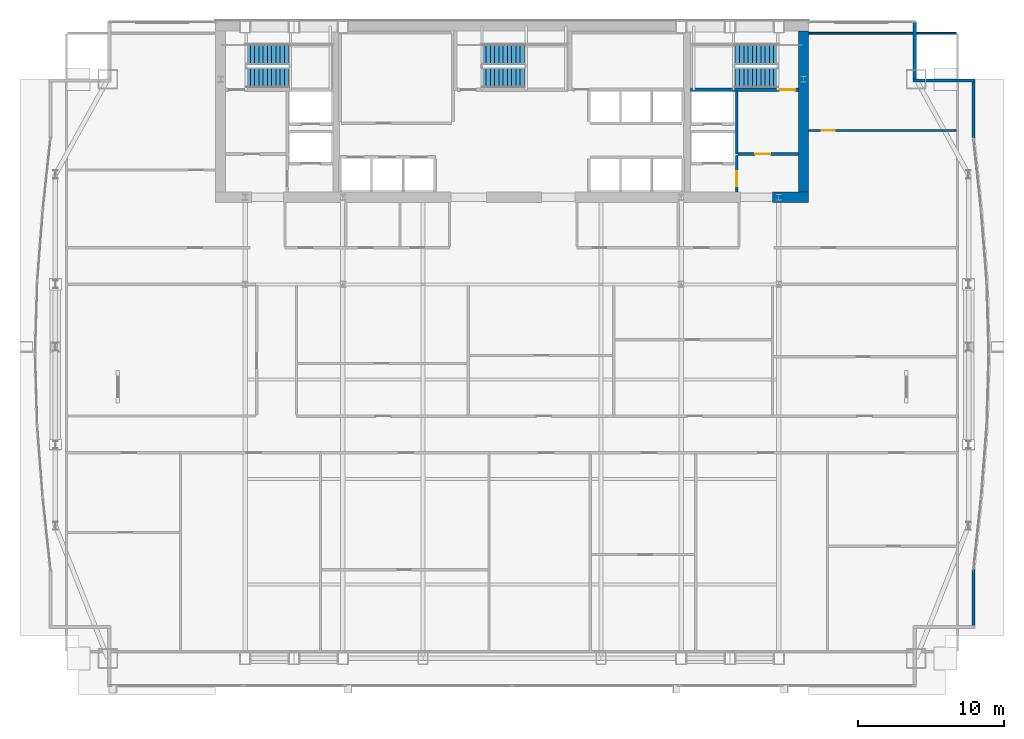
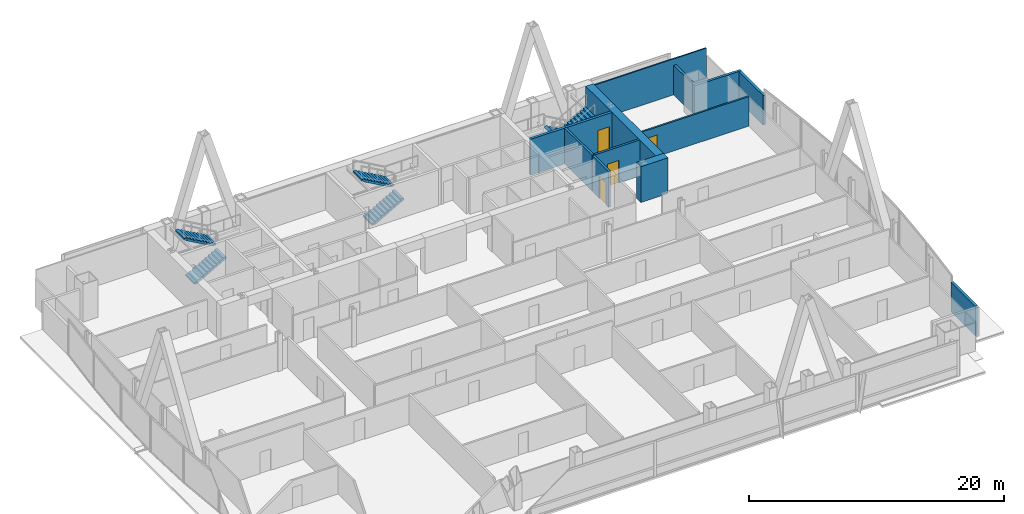
# One storey, part 28 of 30: 12 walls, 6 stair flights, 4 doors, 4 openings, 3 elements without a shape of their own.
"""IFC4 building model written with IfcOpenShell, lengths in metres."""

from ifc_helpers import new_model, si_unit, direction, frame, frame_2d, origin, place, context, subcontext, project, spatial, polyline, rectangle, outline, extrude, material, layer, layer_set, type_object, element, fill, aggregate, save


model = new_model("IFC4")

# Units and contexts
model_context = context("Model", 3, precision=1e-05, world=origin(), true_north=direction((0.0, 1.0)))
body_context = subcontext(model_context, "Body", "Model", "MODEL_VIEW")
ifc_project = project(units=[si_unit("LENGTHUNIT", "METRE"), si_unit("AREAUNIT", "SQUARE_METRE"), si_unit("VOLUMEUNIT", "CUBIC_METRE"), si_unit("PLANEANGLEUNIT", "RADIAN"), si_unit("MASSUNIT", "GRAM", prefix="KILO")], contexts=[model_context])

# Site, building, storey
site_placement = place(None, origin())
site = spatial("IfcSite", under=ifc_project, at=site_placement, CompositionType="ELEMENT")
building_placement = place(site_placement, origin())
building = spatial("IfcBuilding", under=site, at=building_placement, Name="Khoronbel Lancet Exchange", CompositionType="ELEMENT")
storey_placement = place(building_placement, frame((0.0, 0.0, 136.199951171875)))
storey = spatial("IfcBuildingStorey", under=building, at=storey_placement, Name="L33", CompositionType="ELEMENT", Elevation=136.199951171875)

# Walls
ifc_material_1 = material(Name="Concrete C80/95", Category="concrete")
ifc_layer_1 = layer(ifc_material_1, 0.699951171875, Name="Concrete C80/95")
ifc_layer_set_1 = layer_set([ifc_layer_1], Name="Concrete C80/95")
wall_type_1 = type_object("IfcWallType", Name="WL-CW2", PredefinedType="SHEAR", material=ifc_layer_set_1)
wall_1_placement = place(storey_placement, frame((56.35009765625, 53.0, 0.0), z_axis=(0.0, 0.0, 1.0), x_axis=(0.0, -1.0, 0.0)))
element("IfcWall", 1, at=wall_1_placement, inside=storey, type_object=wall_type_1, Name="Level L33 rear core east shear wall", PredefinedType="SHEAR", context=body_context, shape_type="SweptSolid", body=[
    extrude(rectangle(XDim=11.0, YDim=0.699951171875, at=frame_2d((5.5, 0.0))), origin(), (0.0, 0.0, 1.0), 3.43994140625),
])
wall_2_placement = place(storey_placement, frame((56.699951171875, 41.64990234375, 0.0), z_axis=(0.0, 0.0, 1.0), x_axis=(-1.0, 0.0, 0.0)))
element("IfcWall", 2, at=wall_2_placement, inside=storey, type_object=wall_type_1, Name="Level L33 rear core south shear wall pier P5", PredefinedType="SHEAR", context=body_context, shape_type="SweptSolid", body=[
    extrude(rectangle(XDim=2.449951171875, YDim=0.699951171875, at=frame_2d((1.22509765625, 0.0))), origin(), (0.0, 0.0, 1.0), 3.43994140625),
])
ifc_material_2 = material(Name="Precast concrete C40/50", Category="concrete")
ifc_layer_2 = layer(ifc_material_2, 0.25, Name="Precast concrete C40/50")
ifc_layer_set_2 = layer_set([ifc_layer_2], Name="Precast concrete C40/50")
wall_type_2 = type_object("IfcWallType", Name="WL-EXT250", PredefinedType="SOLIDWALL", material=ifc_layer_set_2)
wall_3_placement = place(storey_placement, frame((63.9599609375, 53.6298828125, 0.0), z_axis=(0.0, 0.0, 1.0), x_axis=(0.0, -1.0, 0.0)))
element("IfcWall", 3, at=wall_3_placement, inside=storey, type_object=wall_type_2, Name="Level L33 notched-corner limestone pier 14", PredefinedType="SOLIDWALL", context=body_context, shape_type="SweptSolid", body=[
    extrude(rectangle(XDim=3.909912109375, YDim=0.219970703125, at=frame_2d((1.955078125, 0.0))), origin(), (0.0, 0.0, 1.0), 2.830078125),
])
wall_4_placement = place(storey_placement, frame((63.85009765625, 49.610107421875, 0.0), z_axis=(0.0, 0.0, 1.0), x_axis=(1.0, 0.0, 0.0)))
element("IfcWall", 4, at=wall_4_placement, inside=storey, type_object=wall_type_2, Name="Level L33 notched-corner limestone pier 15", PredefinedType="SOLIDWALL", context=body_context, shape_type="SweptSolid", body=[
    extrude(rectangle(XDim=4.219970703125, YDim=0.219970703125, at=frame_2d((2.10986328125, 0.0))), origin(), (0.0, 0.0, 1.0), 2.830078125),
])
wall_5_placement = place(storey_placement, frame((67.9599609375, 49.5, 0.0), z_axis=(0.0, 0.0, 1.0), x_axis=(0.0, -1.0, 0.0)))
element("IfcWall", 5, at=wall_5_placement, inside=storey, type_object=wall_type_2, Name="Level L33 notched-corner limestone pier 16", PredefinedType="SOLIDWALL", context=body_context, shape_type="SweptSolid", body=[
    extrude(rectangle(XDim=3.82470703125, YDim=0.219970703125, at=frame_2d((1.912353515625, 0.0))), origin(), (0.0, 0.0, 1.0), 2.830078125),
])
wall_6_placement = place(storey_placement, frame((67.9599609375, 16.224853515625, 0.0), z_axis=(0.0, 0.0, 1.0), x_axis=(0.0, -1.0, 0.0)))
element("IfcWall", 6, at=wall_6_placement, inside=storey, type_object=wall_type_2, Name="Level L33 notched-corner limestone pier 23", PredefinedType="SOLIDWALL", context=body_context, shape_type="SweptSolid", body=[
    extrude(rectangle(XDim=3.824951171875, YDim=0.219970703125, at=frame_2d((1.91259765625, 0.0))), origin(), (0.0, 0.0, 1.0), 2.830078125),
])

# Wall, opening, door
ifc_material_3 = material(Name="Acoustic Metal-Stud & Mineral-Wool Gypsum Partition 120 mm", Category="gypsum")
ifc_layer_3 = layer(ifc_material_3, 0.1201171875, Name="Acoustic Metal-Stud & Mineral-Wool Gypsum Partition 120 mm")
ifc_layer_set_3 = layer_set([ifc_layer_3], Name="Acoustic Metal-Stud & Mineral-Wool Gypsum Partition 120 mm")
wall_type_3 = type_object("IfcWallType", Name="WL-PRT120", PredefinedType="PARTITIONING", material=ifc_layer_set_3)
wall_7_placement = place(storey_placement, frame((56.699951171875, 46.199951171875, 0.0), z_axis=(0.0, 0.0, 1.0), x_axis=(1.0, 0.0, 0.0)))
wall_7 = element("IfcWall", 7, at=wall_7_placement, inside=storey, type_object=wall_type_3, Name="Level L33 interior partition PW-NE-H", PredefinedType="PARTITIONING", context=body_context, shape_type="SweptSolid", body=[
    extrude(rectangle(XDim=10.10498046875, YDim=0.14990234375, at=frame_2d((5.052490234375, 0.0))), origin(), (0.0, 0.0, 1.0), 2.830078125),
])
opening_1_placement = place(wall_7_placement, frame((0.89990234375, 0.0, 0.0)))
opening_1 = element("IfcOpeningElement", 8, at=opening_1_placement, cuts=wall_7, Name="Opening D5", PredefinedType="OPENING", context=body_context, shape_type="SweptSolid", body=[
    extrude(rectangle(XDim=0.89990234375, YDim=2.050048828125, at=frame_2d((0.449951171875, 1.02490234375))), frame((0.0, 0.0849609375, 0.0), z_axis=(0.0, -1.0, 0.0), x_axis=(1.0, 0.0, 0.0)), (0.0, 0.0, 1.0), 0.169921875),
])
ifc_material_4 = material(Name="Acoustic Timber Pantry & Support Door", Category="wood")
door_type_1 = type_object("IfcDoorType", Name="DR-D5", OperationType="NOTDEFINED", PredefinedType="DOOR", material=ifc_material_4)
door_1_placement = place(opening_1_placement, origin())
door_1 = element("IfcDoor", 9, at=door_1_placement, inside=storey, type_object=door_type_1, Name="NE north room door L33-1", OperationType="SINGLE_SWING_LEFT", OverallHeight=2.050048828125, OverallWidth=0.89990234375, PredefinedType="DOOR", context=body_context, shape_type="SweptSolid", body=[
    extrude(rectangle(XDim=0.89990234375, YDim=2.050048828125, at=frame_2d((0.449951171875, 1.02490234375))), frame((0.0, 0.02490234375, 0.0), z_axis=(0.0, -1.0, 0.0), x_axis=(1.0, 0.0, 0.0)), (0.0, 0.0, 1.0), 0.050048828125),
])
fill(opening_1, door_1)

# Walls
wall_8_placement = place(storey_placement, frame((56.699951171875, 52.840087890625, 0.0), z_axis=(0.0, 0.0, 1.0), x_axis=(1.0, 0.0, 0.0)))
element("IfcWall", 10, at=wall_8_placement, inside=storey, type_object=wall_type_3, Name="Level L33 interior partition PW-LIN-NE", PredefinedType="PARTITIONING", context=body_context, shape_type="SweptSolid", body=[
    extrude(rectangle(XDim=10.10498046875, YDim=0.1201171875, at=frame_2d((5.052490234375, 0.0))), origin(), (0.0, 0.0, 1.0), 3.43994140625),
])
ifc_material_5 = material(Name="Autoclaved Aerated Concrete Blockwork 200 mm", Category="masonry")
ifc_layer_4 = layer(ifc_material_5, 0.199951171875, Name="Autoclaved Aerated Concrete Blockwork 200 mm")
ifc_layer_set_4 = layer_set([ifc_layer_4], Name="Autoclaved Aerated Concrete Blockwork 200 mm")
wall_type_4 = type_object("IfcWallType", Name="WL-PRT200", PredefinedType="PARTITIONING", material=ifc_layer_set_4)
wall_9_placement = place(storey_placement, frame((51.800048828125, 44.60009765625, 0.0), z_axis=(0.0, 0.0, 1.0), x_axis=(0.0, 1.0, 0.0)))
element("IfcWall", 11, at=wall_9_placement, inside=storey, type_object=wall_type_4, Name="Level L33 interior partition CW-FFLE-W", PredefinedType="PARTITIONING", context=body_context, shape_type="SweptSolid", body=[
    extrude(rectangle(XDim=4.2998046875, YDim=0.199951171875, at=frame_2d((2.14990234375, 0.0))), origin(), (0.0, 0.0, 1.0), 3.43994140625),
])

# Wall, opening, door
wall_10_placement = place(storey_placement, frame((51.89990234375, 44.60009765625, 0.0), z_axis=(0.0, 0.0, 1.0), x_axis=(1.0, 0.0, 0.0)))
wall_10 = element("IfcWall", 12, at=wall_10_placement, inside=storey, type_object=wall_type_4, Name="Level L33 interior partition CW-FFLE-S", PredefinedType="PARTITIONING", context=body_context, shape_type="SweptSolid", body=[
    extrude(rectangle(XDim=4.10009765625, YDim=0.199951171875, at=frame_2d((2.050048828125, 0.0))), origin(), (0.0, 0.0, 1.0), 3.43994140625),
])
opening_2_placement = place(wall_10_placement, frame((1.14990234375, 0.0, 0.0)))
opening_2 = element("IfcOpeningElement", 13, at=opening_2_placement, cuts=wall_10, Name="Opening FD1", PredefinedType="OPENING", context=body_context, shape_type="SweptSolid", body=[
    extrude(rectangle(XDim=1.050048828125, YDim=2.14990234375, at=frame_2d((0.52490234375, 1.074951171875))), frame((0.0, 0.10986328125, 0.0), z_axis=(0.0, -1.0, 0.0), x_axis=(1.0, 0.0, 0.0)), (0.0, 0.0, 1.0), 0.219970703125),
])
ifc_material_6 = material(Name="Fire-Rated Painted Steel Door Assembly", Category="steel")
door_type_2 = type_object("IfcDoorType", Name="DR-FD1", OperationType="NOTDEFINED", PredefinedType="DOOR", material=ifc_material_6)
door_2_placement = place(opening_2_placement, origin())
door_2 = element("IfcDoor", 14, at=door_2_placement, inside=storey, type_object=door_type_2, Name="East firefighting lobby FD90S door L33-1", OperationType="SINGLE_SWING_LEFT", OverallHeight=2.14990234375, OverallWidth=1.050048828125, PredefinedType="DOOR", context=body_context, shape_type="SweptSolid", body=[
    extrude(rectangle(XDim=1.050048828125, YDim=2.14990234375, at=frame_2d((0.52490234375, 1.074951171875))), frame((0.0, 0.02490234375, 0.0), z_axis=(0.0, -1.0, 0.0), x_axis=(1.0, 0.0, 0.0)), (0.0, 0.0, 1.0), 0.050048828125),
])
fill(opening_2, door_2)

wall_11_placement = place(storey_placement, frame((51.800048828125, 42.0, 0.0), z_axis=(0.0, 0.0, 1.0), x_axis=(0.0, 1.0, 0.0)))
wall_11 = element("IfcWall", 15, at=wall_11_placement, inside=storey, type_object=wall_type_4, Name="Level L33 interior partition CW-SVLE-E", PredefinedType="PARTITIONING", context=body_context, shape_type="SweptSolid", body=[
    extrude(rectangle(XDim=2.4951171875, YDim=0.199951171875, at=frame_2d((1.24755859375, 0.0))), origin(), (0.0, 0.0, 1.0), 3.43994140625),
])
opening_3_placement = place(wall_11_placement, frame((0.3798828125, 0.0, 0.0)))
opening_3 = element("IfcOpeningElement", 16, at=opening_3_placement, cuts=wall_11, Name="Opening FD1", PredefinedType="OPENING", context=body_context, shape_type="SweptSolid", body=[
    extrude(rectangle(XDim=1.050048828125, YDim=2.14990234375, at=frame_2d((0.52490234375, 1.074951171875))), frame((0.0, 0.10986328125, 0.0), z_axis=(0.0, -1.0, 0.0), x_axis=(1.0, 0.0, 0.0)), (0.0, 0.0, 1.0), 0.219970703125),
])
door_3_placement = place(opening_3_placement, origin())
door_3 = element("IfcDoor", 17, at=door_3_placement, inside=storey, type_object=door_type_2, Name="East service lift lobby door L33-1", OperationType="SINGLE_SWING_RIGHT", OverallHeight=2.14990234375, OverallWidth=1.050048828125, PredefinedType="DOOR", context=body_context, shape_type="SweptSolid", body=[
    extrude(rectangle(XDim=1.050048828125, YDim=2.14990234375, at=frame_2d((0.52490234375, 1.074951171875))), frame((0.0, 0.02490234375, 0.0), z_axis=(0.0, -1.0, 0.0), x_axis=(1.0, 0.0, 0.0)), (0.0, 0.0, 1.0), 0.050048828125),
])
fill(opening_3, door_3)

ifc_material_7 = material(Name="Concrete C60/75", Category="concrete")
ifc_layer_5 = layer(ifc_material_7, 0.260009765625, Name="Concrete C60/75")
ifc_layer_set_5 = layer_set([ifc_layer_5], Name="Concrete C60/75")
wall_type_5 = type_object("IfcWallType", Name="WL-SW3", PredefinedType="SHEAR", material=ifc_layer_set_5)
wall_12_placement = place(storey_placement, frame((48.6298828125, 48.97998046875, 0.0), z_axis=(0.0, 0.0, 1.0), x_axis=(1.0, 0.0, 0.0)))
wall_12 = element("IfcWall", 18, at=wall_12_placement, inside=storey, type_object=wall_type_5, Name="Level L33 east stairwell structural south wall", PredefinedType="SHEAR", context=body_context, shape_type="SweptSolid", body=[
    extrude(rectangle(XDim=7.3701171875, YDim=0.239990234375, at=frame_2d((3.68505859375, 0.0))), origin(), (0.0, 0.0, 1.0), 3.43994140625),
])
opening_4_placement = place(wall_12_placement, frame((6.10009765625, 0.0, 0.0)))
opening_4 = element("IfcOpeningElement", 19, at=opening_4_placement, cuts=wall_12, Name="Opening SD1", PredefinedType="OPENING", context=body_context, shape_type="SweptSolid", body=[
    extrude(rectangle(XDim=1.050048828125, YDim=2.14990234375, at=frame_2d((0.52490234375, 1.074951171875))), frame((0.0, 0.1298828125, 0.0), z_axis=(0.0, -1.0, 0.0), x_axis=(1.0, 0.0, 0.0)), (0.0, 0.0, 1.0), 0.260009765625),
])
ifc_material_8 = material(Name="Fire-Rated Steel Stairwell Door Assembly", Category="steel")
door_type_3 = type_object("IfcDoorType", Name="DR-SD1", OperationType="NOTDEFINED", PredefinedType="DOOR", material=ifc_material_8)
door_4_placement = place(opening_4_placement, origin())
door_4 = element("IfcDoor", 20, at=door_4_placement, inside=storey, type_object=door_type_3, Name="Protected exit stair ST2 door L33", OperationType="SINGLE_SWING_RIGHT", OverallHeight=2.14990234375, OverallWidth=1.050048828125, PredefinedType="DOOR", context=body_context, shape_type="SweptSolid", body=[
    extrude(rectangle(XDim=1.050048828125, YDim=2.14990234375, at=frame_2d((0.52490234375, 1.074951171875))), frame((0.0, 0.02490234375, 0.0), z_axis=(0.0, -1.0, 0.0), x_axis=(1.0, 0.0, 0.0)), (0.0, 0.0, 1.0), 0.050048828125),
])
fill(opening_4, door_4)

# Stair, stair flights
ifc_material_9 = material(Name="Concrete C40/50", Category="concrete")
stair_type = type_object("IfcStairType", Name="STR-CORE150", PredefinedType="HALF_TURN_STAIR", material=ifc_material_9)
stair_1_placement = place(storey_placement, origin())
stair_1 = element("IfcStair", 21, at=stair_1_placement, inside=storey, type_object=stair_type, Name="L33 Protected Exit Stair ST1", PredefinedType="HALF_TURN_STAIR")
stair_flight_type = type_object("IfcStairFlightType", Name="STF-150", PredefinedType="STRAIGHT", material=ifc_material_9)
stair_flight_1_placement = place(storey_placement, frame((18.300048828125, 49.81005859375, 0.0), z_axis=(0.0, 0.0, 1.0), x_axis=(1.0, 0.0, 0.0)))
stair_flight_1 = element("IfcStairFlight", 22, at=stair_flight_1_placement, type_object=stair_flight_type, Name="ST1 flight 1", NumberOfRisers=11, NumberOfTreads=10, PredefinedType="STRAIGHT", RiserHeight=0.163636364, TreadLength=0.29, context=body_context, shape_type="SweptSolid", body=[
    extrude(outline(polyline([(0.0, 0.0), (0.0, 0.16357421875), (0.2900390625, 0.16357421875), (0.2900390625, 0.327392578125), (0.580078125, 0.327392578125), (0.580078125, 0.490966796875), (0.8701171875, 0.490966796875), (0.8701171875, 0.654541015625), (1.159912109375, 0.654541015625), (1.159912109375, 0.818115234375), (1.449951171875, 0.818115234375), (1.449951171875, 0.98193359375), (1.739990234375, 0.98193359375), (1.739990234375, 1.1455078125), (2.030029296875, 1.1455078125), (2.030029296875, 1.30908203125), (2.320068359375, 1.30908203125), (2.320068359375, 1.47265625), (2.610107421875, 1.47265625), (2.610107421875, 1.636474609375), (2.89990234375, 1.636474609375), (2.89990234375, 1.800048828125), (2.89990234375, 1.46435546875), (0.304931640625, 0.0), (0.0, 0.0)])), frame((0.0, 0.68994140625, 0.0), z_axis=(0.0, -1.0, 0.0), x_axis=(1.0, 0.0, 0.0)), (0.0, 0.0, 1.0), 1.3798828125),
])
stair_flight_2_placement = place(storey_placement, frame((21.199951171875, 51.409912109375, 1.800048828125), z_axis=(0.0, 0.0, 1.0), x_axis=(-1.0, 0.0, 0.0)))
stair_flight_2 = element("IfcStairFlight", 23, at=stair_flight_2_placement, type_object=stair_flight_type, Name="ST1 flight 2", NumberOfRisers=11, NumberOfTreads=10, PredefinedType="STRAIGHT", RiserHeight=0.163636364, TreadLength=0.29, context=body_context, shape_type="SweptSolid", body=[
    extrude(outline(polyline([(0.0, 0.0), (0.0, 0.16357421875), (0.2900390625, 0.16357421875), (0.2900390625, 0.327392578125), (0.580078125, 0.327392578125), (0.580078125, 0.490966796875), (0.8701171875, 0.490966796875), (0.8701171875, 0.654541015625), (1.159912109375, 0.654541015625), (1.159912109375, 0.818115234375), (1.449951171875, 0.818115234375), (1.449951171875, 0.98193359375), (1.739990234375, 0.98193359375), (1.739990234375, 1.1455078125), (2.030029296875, 1.1455078125), (2.030029296875, 1.30908203125), (2.320068359375, 1.30908203125), (2.320068359375, 1.47265625), (2.610107421875, 1.47265625), (2.610107421875, 1.636474609375), (2.89990234375, 1.636474609375), (2.89990234375, 1.800048828125), (2.89990234375, 1.46435546875), (0.304931640625, 0.0), (0.0, 0.0)])), frame((0.0, 0.68994140625, 0.0), z_axis=(0.0, -1.0, 0.0), x_axis=(1.0, 0.0, 0.0)), (0.0, 0.0, 1.0), 1.3798828125),
])
aggregate(stair_1, [stair_flight_1, stair_flight_2])

stair_2_placement = place(storey_placement, origin())
stair_2 = element("IfcStair", 24, at=stair_2_placement, inside=storey, type_object=stair_type, Name="L33 Protected Exit Stair ST2", PredefinedType="HALF_TURN_STAIR")
stair_flight_3_placement = place(storey_placement, frame((54.60009765625, 51.409912109375, 0.0), z_axis=(0.0, 0.0, 1.0), x_axis=(-1.0, 0.0, 0.0)))
stair_flight_3 = element("IfcStairFlight", 25, at=stair_flight_3_placement, type_object=stair_flight_type, Name="ST2 flight 1", NumberOfRisers=11, NumberOfTreads=10, PredefinedType="STRAIGHT", RiserHeight=0.163636364, TreadLength=0.29, context=body_context, shape_type="SweptSolid", body=[
    extrude(outline(polyline([(0.0, 0.0), (0.0, 0.16357421875), (0.2900390625, 0.16357421875), (0.2900390625, 0.327392578125), (0.580078125, 0.327392578125), (0.580078125, 0.490966796875), (0.8701171875, 0.490966796875), (0.8701171875, 0.654541015625), (1.159912109375, 0.654541015625), (1.159912109375, 0.818115234375), (1.449951171875, 0.818115234375), (1.449951171875, 0.98193359375), (1.739990234375, 0.98193359375), (1.739990234375, 1.1455078125), (2.030029296875, 1.1455078125), (2.030029296875, 1.30908203125), (2.320068359375, 1.30908203125), (2.320068359375, 1.47265625), (2.610107421875, 1.47265625), (2.610107421875, 1.636474609375), (2.89990234375, 1.636474609375), (2.89990234375, 1.800048828125), (2.89990234375, 1.46435546875), (0.304931640625, 0.0), (0.0, 0.0)])), frame((0.0, 0.68994140625, 0.0), z_axis=(0.0, -1.0, 0.0), x_axis=(1.0, 0.0, 0.0)), (0.0, 0.0, 1.0), 1.3798828125),
])
stair_flight_4_placement = place(storey_placement, frame((51.699951171875, 49.81005859375, 1.800048828125), z_axis=(0.0, 0.0, 1.0), x_axis=(1.0, 0.0, 0.0)))
stair_flight_4 = element("IfcStairFlight", 26, at=stair_flight_4_placement, type_object=stair_flight_type, Name="ST2 flight 2", NumberOfRisers=11, NumberOfTreads=10, PredefinedType="STRAIGHT", RiserHeight=0.163636364, TreadLength=0.29, context=body_context, shape_type="SweptSolid", body=[
    extrude(outline(polyline([(0.0, 0.0), (0.0, 0.16357421875), (0.2900390625, 0.16357421875), (0.2900390625, 0.327392578125), (0.580078125, 0.327392578125), (0.580078125, 0.490966796875), (0.8701171875, 0.490966796875), (0.8701171875, 0.654541015625), (1.159912109375, 0.654541015625), (1.159912109375, 0.818115234375), (1.449951171875, 0.818115234375), (1.449951171875, 0.98193359375), (1.739990234375, 0.98193359375), (1.739990234375, 1.1455078125), (2.030029296875, 1.1455078125), (2.030029296875, 1.30908203125), (2.320068359375, 1.30908203125), (2.320068359375, 1.47265625), (2.610107421875, 1.47265625), (2.610107421875, 1.636474609375), (2.89990234375, 1.636474609375), (2.89990234375, 1.800048828125), (2.89990234375, 1.46435546875), (0.304931640625, 0.0), (0.0, 0.0)])), frame((0.0, 0.68994140625, 0.0), z_axis=(0.0, -1.0, 0.0), x_axis=(1.0, 0.0, 0.0)), (0.0, 0.0, 1.0), 1.3798828125),
])
aggregate(stair_2, [stair_flight_3, stair_flight_4])

stair_3_placement = place(storey_placement, origin())
stair_3 = element("IfcStair", 27, at=stair_3_placement, inside=storey, type_object=stair_type, Name="L33 Protected Exit Stair ST3", PredefinedType="HALF_TURN_STAIR")
stair_flight_5_placement = place(storey_placement, frame((34.39990234375, 49.81005859375, 0.0), z_axis=(0.0, 0.0, 1.0), x_axis=(1.0, 0.0, 0.0)))
stair_flight_5 = element("IfcStairFlight", 28, at=stair_flight_5_placement, type_object=stair_flight_type, Name="ST3 flight 1", NumberOfRisers=11, NumberOfTreads=10, PredefinedType="STRAIGHT", RiserHeight=0.163636364, TreadLength=0.29, context=body_context, shape_type="SweptSolid", body=[
    extrude(outline(polyline([(0.0, 0.0), (0.0, 0.16357421875), (0.2900390625, 0.16357421875), (0.2900390625, 0.327392578125), (0.580078125, 0.327392578125), (0.580078125, 0.490966796875), (0.8701171875, 0.490966796875), (0.8701171875, 0.654541015625), (1.159912109375, 0.654541015625), (1.159912109375, 0.818115234375), (1.449951171875, 0.818115234375), (1.449951171875, 0.98193359375), (1.739990234375, 0.98193359375), (1.739990234375, 1.1455078125), (2.030029296875, 1.1455078125), (2.030029296875, 1.30908203125), (2.320068359375, 1.30908203125), (2.320068359375, 1.47265625), (2.610107421875, 1.47265625), (2.610107421875, 1.636474609375), (2.89990234375, 1.636474609375), (2.89990234375, 1.800048828125), (2.89990234375, 1.46435546875), (0.304931640625, 0.0), (0.0, 0.0)])), frame((0.0, 0.68994140625, 0.0), z_axis=(0.0, -1.0, 0.0), x_axis=(1.0, 0.0, 0.0)), (0.0, 0.0, 1.0), 1.3798828125),
])
stair_flight_6_placement = place(storey_placement, frame((37.300048828125, 51.409912109375, 1.800048828125), z_axis=(0.0, 0.0, 1.0), x_axis=(-1.0, 0.0, 0.0)))
stair_flight_6 = element("IfcStairFlight", 29, at=stair_flight_6_placement, type_object=stair_flight_type, Name="ST3 flight 2", NumberOfRisers=11, NumberOfTreads=10, PredefinedType="STRAIGHT", RiserHeight=0.163636364, TreadLength=0.29, context=body_context, shape_type="SweptSolid", body=[
    extrude(outline(polyline([(0.0, 0.0), (0.0, 0.16357421875), (0.2900390625, 0.16357421875), (0.2900390625, 0.327392578125), (0.580078125, 0.327392578125), (0.580078125, 0.490966796875), (0.8701171875, 0.490966796875), (0.8701171875, 0.654541015625), (1.159912109375, 0.654541015625), (1.159912109375, 0.818115234375), (1.449951171875, 0.818115234375), (1.449951171875, 0.98193359375), (1.739990234375, 0.98193359375), (1.739990234375, 1.1455078125), (2.030029296875, 1.1455078125), (2.030029296875, 1.30908203125), (2.320068359375, 1.30908203125), (2.320068359375, 1.47265625), (2.610107421875, 1.47265625), (2.610107421875, 1.636474609375), (2.89990234375, 1.636474609375), (2.89990234375, 1.800048828125), (2.89990234375, 1.46435546875), (0.304931640625, 0.0), (0.0, 0.0)])), frame((0.0, 0.68994140625, 0.0), z_axis=(0.0, -1.0, 0.0), x_axis=(1.0, 0.0, 0.0)), (0.0, 0.0, 1.0), 1.3798828125),
])
aggregate(stair_3, [stair_flight_5, stair_flight_6])

save(model, "model.ifc")
